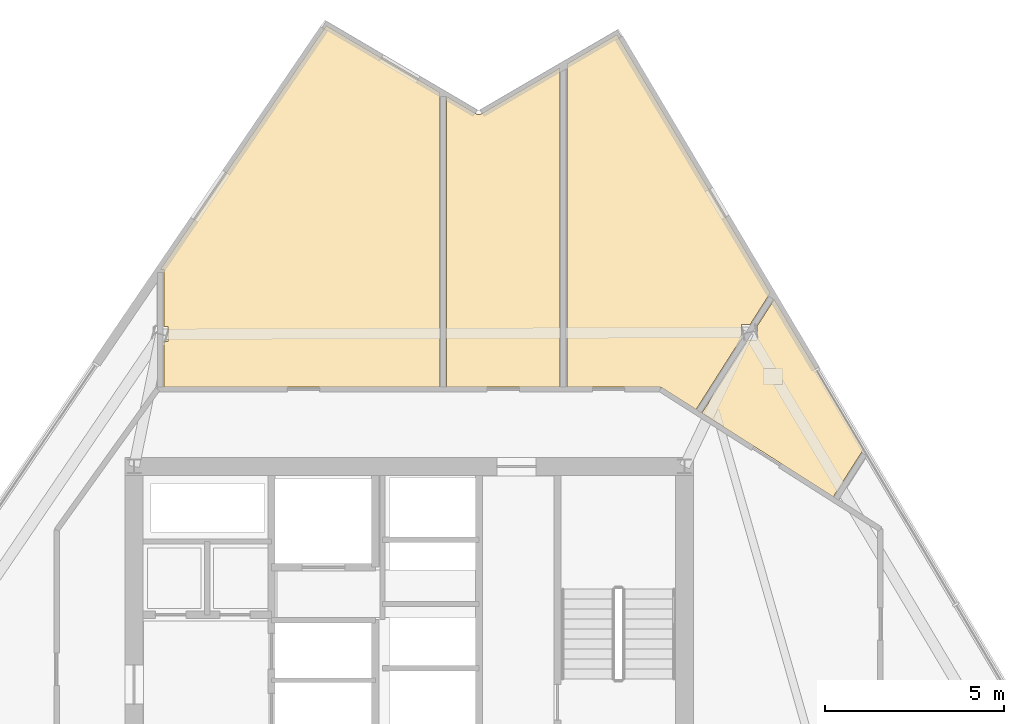
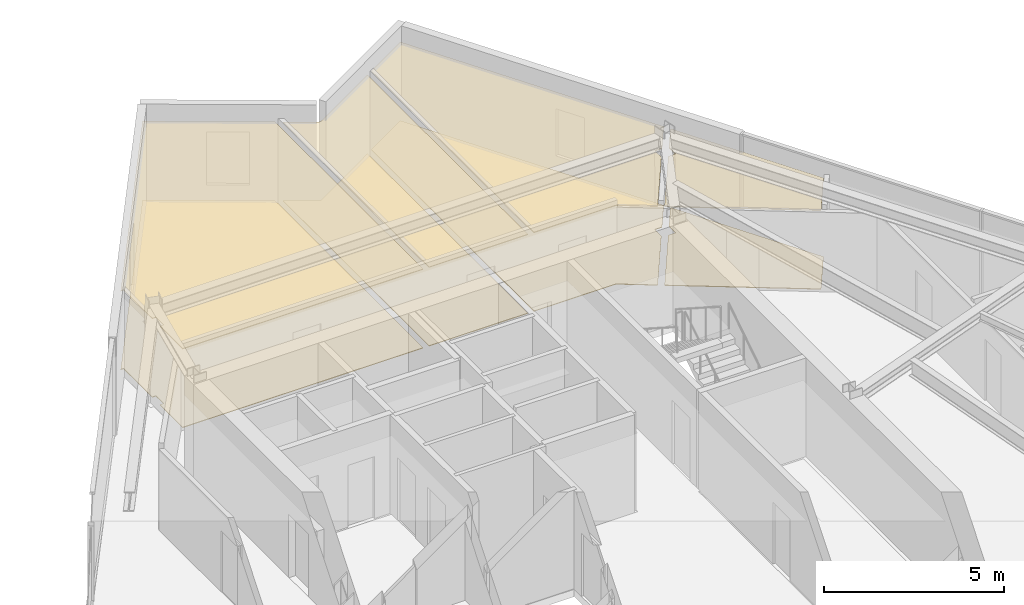
# One storey, part 14 of 15: 8 coverings.
"""IFC4 building model written with IfcOpenShell, lengths in metres."""

from ifc_helpers import new_model, si_unit, direction, frame, origin, place, context, subcontext, project, spatial, polyline, outline, extrude, material, layer, layer_set, type_object, element, save


model = new_model("IFC4")

# Units and contexts
model_context = context("Model", 3, precision=1e-05, world=origin(), true_north=direction((0.0, 1.0)))
body_context = subcontext(model_context, "Body", "Model", "MODEL_VIEW")
ifc_project = project(units=[si_unit("LENGTHUNIT", "METRE"), si_unit("AREAUNIT", "SQUARE_METRE"), si_unit("VOLUMEUNIT", "CUBIC_METRE"), si_unit("PLANEANGLEUNIT", "RADIAN"), si_unit("MASSUNIT", "GRAM", prefix="KILO")], contexts=[model_context])

# Site, building, storey
site_placement = place(None, origin())
site = spatial("IfcSite", under=ifc_project, at=site_placement, CompositionType="ELEMENT")
building_placement = place(site_placement, origin())
building = spatial("IfcBuilding", under=site, at=building_placement, Name="Savorim Split Tower", CompositionType="ELEMENT")
storey_placement = place(building_placement, frame((0.0, 0.0, 145.800048828125)))
storey = spatial("IfcBuildingStorey", under=building, at=storey_placement, Name="L38", CompositionType="ELEMENT", Elevation=145.800048828125)

# Coverings
ifc_material_1 = material(Name="Mineral Fibre Acoustic Ceiling")
ifc_layer_1 = layer(ifc_material_1, 0.02490234375)
ifc_layer_set_1 = layer_set([ifc_layer_1], Name="COV-CEIL-25")
covering_type_1 = type_object("IfcCoveringType", Name="COV-CEIL-25", PredefinedType="CEILING", material=ifc_layer_set_1)
covering_1_placement = place(storey_placement, frame((0.0, 0.0, 2.669921875)))
element("IfcCovering", 1, at=covering_1_placement, inside=storey, type_object=covering_type_1, Name="L38 Shared Kitchen Acoustic Ceiling", PredefinedType="CEILING", context=body_context, shape_type="SweptSolid", body=[
    extrude(outline(polyline([(9.48828125, 13.7392578125), (8.18603515625, 11.691650390625), (8.185791015625, 11.691650390625), (11.864501953125, 9.351806640625), (12.70751953125, 10.677490234375), (10.211181640625, 14.87548828125), (9.7236328125, 14.10888671875), (9.7236328125, 13.7392578125), (9.48828125, 13.7392578125)])), origin(), (0.0, 0.0, 1.0), 0.025146484375),
])
covering_2_placement = place(storey_placement, frame((0.0, 0.0, 2.669921875)))
element("IfcCovering", 2, at=covering_2_placement, inside=storey, type_object=covering_type_1, Name="L38 Quiet Study Room Acoustic Ceiling", PredefinedType="CEILING", context=body_context, shape_type="SweptSolid", body=[
    extrude(outline(polyline([(10.09765625, 15.051025390625), (10.112548828125, 15.04150390625), (5.81005859375, 22.27734375), (4.40869140625, 21.460693359375), (4.40869140625, 12.419921875), (7.0, 12.419921875), (7.01318359375, 12.41943359375), (7.0263671875, 12.41748046875), (7.0390625, 12.414306640625), (7.051513671875, 12.41015625), (7.063720703125, 12.40478515625), (7.0751953125, 12.398193359375), (8.025634765625, 11.793701171875), (9.299560546875, 13.79638671875), (9.299560546875, 14.166259765625), (9.534912109375, 14.166259765625), (10.046630859375, 14.970947265625), (10.09765625, 15.051025390625)])), origin(), (0.0, 0.0, 1.0), 0.025146484375),
])
covering_3_placement = place(storey_placement, frame((0.0, 0.0, 2.669921875)))
element("IfcCovering", 3, at=covering_3_placement, inside=storey, type_object=covering_type_1, Name="L38 Quiet Study Room Acoustic Ceiling", PredefinedType="CEILING", context=body_context, shape_type="SweptSolid", body=[
    extrude(outline(polyline([(1.90380859375, 20.049560546875), (1.89306640625, 20.053955078125), (1.8828125, 20.059326171875), (1.04443359375, 20.552001953125), (1.04443359375, 12.419921875), (4.21875, 12.419921875), (4.21875, 21.349853515625), (2.00390625, 20.05908203125), (1.993896484375, 20.0537109375), (1.983154296875, 20.049560546875), (1.971923828125, 20.046142578125), (1.960693359375, 20.0439453125), (1.94921875, 20.04296875), (1.9375, 20.04296875), (1.926025390625, 20.044189453125), (1.914794921875, 20.04638671875), (1.90380859375, 20.049560546875)])), origin(), (0.0, 0.0, 1.0), 0.025146484375),
])
covering_4_placement = place(storey_placement, frame((0.0, 0.0, 2.669921875)))
element("IfcCovering", 4, at=covering_4_placement, inside=storey, type_object=covering_type_1, Name="L38 Co-Working Commons Acoustic Ceiling", PredefinedType="CEILING", context=body_context, shape_type="SweptSolid", body=[
    extrude(outline(polyline([(-6.866943359375, 12.419921875), (0.8544921875, 12.419921875), (0.8544921875, 20.663818359375), (-2.322021484375, 22.530517578125), (-6.957763671875, 15.716064453125), (-6.866943359375, 15.716064453125), (-6.866943359375, 14.117431640625), (-6.75, 14.117431640625), (-6.75, 13.6904296875), (-6.866943359375, 13.6904296875), (-6.866943359375, 12.419921875)])), origin(), (0.0, 0.0, 1.0), 0.025146484375),
])
ifc_material_2 = material(Name="Porcelain Stoneware Flooring", Category="masonry")
ifc_layer_2 = layer(ifc_material_2, 0.02001953125)
ifc_layer_set_2 = layer_set([ifc_layer_2], Name="COV-FLOR-20")
covering_type_2 = type_object("IfcCoveringType", Name="COV-FLOR-20", PredefinedType="FLOORING", material=ifc_layer_set_2)
covering_5_placement = place(storey_placement, origin())
element("IfcCovering", 5, at=covering_5_placement, inside=storey, type_object=covering_type_2, Name="L38 Shared Kitchen Porcelain Flooring", PredefinedType="FLOORING", context=body_context, shape_type="SweptSolid", body=[
    extrude(outline(polyline([(9.48828125, 13.7392578125), (8.18603515625, 11.691650390625), (8.185791015625, 11.691650390625), (11.864501953125, 9.351806640625), (12.70751953125, 10.677490234375), (10.211181640625, 14.87548828125), (9.7236328125, 14.10888671875), (9.7236328125, 13.7392578125), (9.48828125, 13.7392578125)])), origin(), (0.0, 0.0, 1.0), 0.02001953125),
])
covering_6_placement = place(storey_placement, origin())
element("IfcCovering", 6, at=covering_6_placement, inside=storey, type_object=covering_type_2, Name="L38 Quiet Study Room Porcelain Flooring", PredefinedType="FLOORING", context=body_context, shape_type="SweptSolid", body=[
    extrude(outline(polyline([(10.09765625, 15.051025390625), (10.112548828125, 15.04150390625), (5.81005859375, 22.27734375), (4.40869140625, 21.460693359375), (4.40869140625, 12.419921875), (7.0, 12.419921875), (7.01318359375, 12.41943359375), (7.0263671875, 12.41748046875), (7.0390625, 12.414306640625), (7.051513671875, 12.41015625), (7.063720703125, 12.40478515625), (7.0751953125, 12.398193359375), (8.025634765625, 11.793701171875), (9.299560546875, 13.79638671875), (9.299560546875, 14.166259765625), (9.534912109375, 14.166259765625), (10.046630859375, 14.970947265625), (10.09765625, 15.051025390625)])), origin(), (0.0, 0.0, 1.0), 0.02001953125),
])
covering_7_placement = place(storey_placement, origin())
element("IfcCovering", 7, at=covering_7_placement, inside=storey, type_object=covering_type_2, Name="L38 Quiet Study Room Porcelain Flooring", PredefinedType="FLOORING", context=body_context, shape_type="SweptSolid", body=[
    extrude(outline(polyline([(1.90380859375, 20.049560546875), (1.89306640625, 20.053955078125), (1.8828125, 20.059326171875), (1.04443359375, 20.552001953125), (1.04443359375, 12.419921875), (4.21875, 12.419921875), (4.21875, 21.349853515625), (2.00390625, 20.05908203125), (1.993896484375, 20.0537109375), (1.983154296875, 20.049560546875), (1.971923828125, 20.046142578125), (1.960693359375, 20.0439453125), (1.94921875, 20.04296875), (1.9375, 20.04296875), (1.926025390625, 20.044189453125), (1.914794921875, 20.04638671875), (1.90380859375, 20.049560546875)])), origin(), (0.0, 0.0, 1.0), 0.02001953125),
])
covering_8_placement = place(storey_placement, origin())
element("IfcCovering", 8, at=covering_8_placement, inside=storey, type_object=covering_type_2, Name="L38 Co-Working Commons Porcelain Flooring", PredefinedType="FLOORING", context=body_context, shape_type="SweptSolid", body=[
    extrude(outline(polyline([(-6.866943359375, 12.419921875), (0.8544921875, 12.419921875), (0.8544921875, 20.663818359375), (-2.322021484375, 22.530517578125), (-6.957763671875, 15.716064453125), (-6.866943359375, 15.716064453125), (-6.866943359375, 14.117431640625), (-6.75, 14.117431640625), (-6.75, 13.6904296875), (-6.866943359375, 13.6904296875), (-6.866943359375, 12.419921875)])), origin(), (0.0, 0.0, 1.0), 0.02001953125),
])

save(model, "model.ifc")
